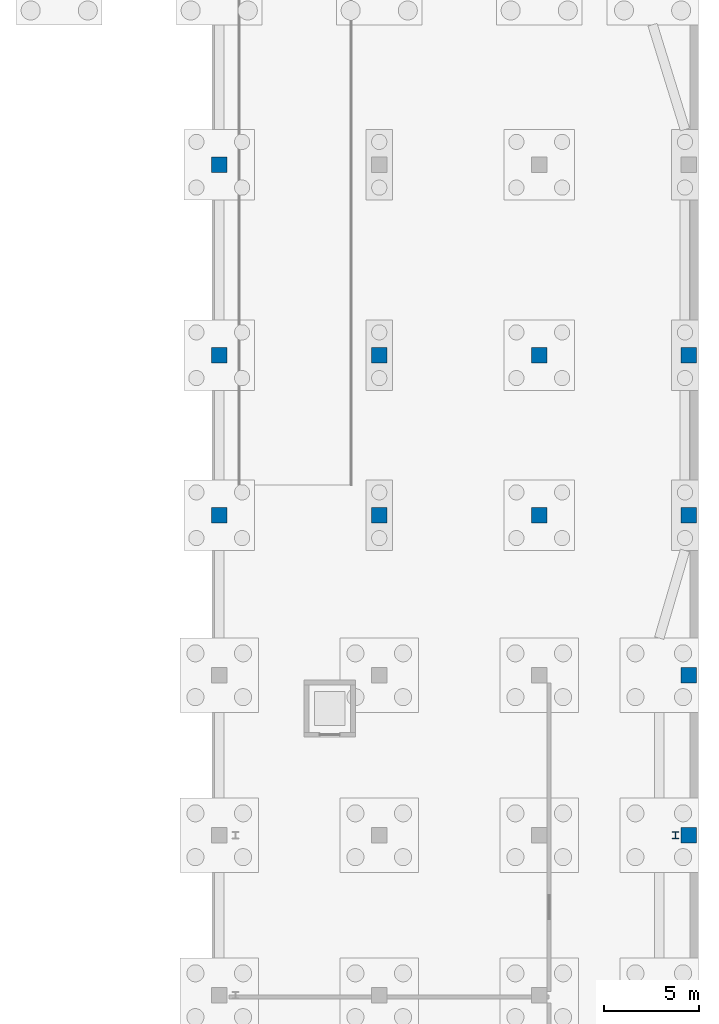
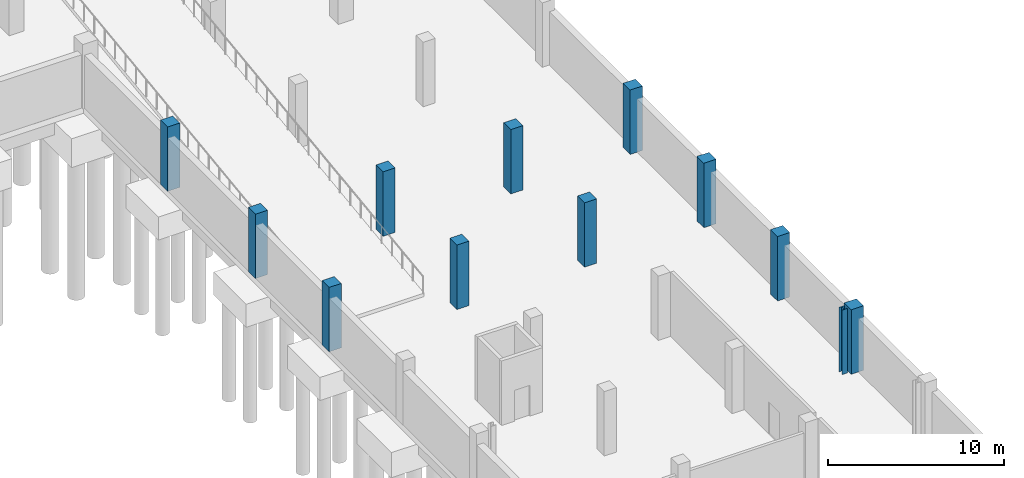
# One storey, part 7 of 18: 12 columns.
"""IFC4 building model written with IfcOpenShell, lengths in metres."""

from ifc_helpers import new_model, si_unit, direction, frame, origin, origin_2d, place, context, subcontext, project, spatial, rectangle, i_section, extrude, material, material_profile, profile_set, type_object, element, save


model = new_model("IFC4")

# Units and contexts
model_context = context("Model", 3, precision=1e-05, world=origin(), true_north=direction((0.0, 1.0)))
body_context = subcontext(model_context, "Body", "Model", "MODEL_VIEW")
ifc_project = project(units=[si_unit("LENGTHUNIT", "METRE"), si_unit("AREAUNIT", "SQUARE_METRE"), si_unit("VOLUMEUNIT", "CUBIC_METRE"), si_unit("PLANEANGLEUNIT", "RADIAN"), si_unit("MASSUNIT", "GRAM", prefix="KILO")], contexts=[model_context])

# Site, building, storey
site_placement = place(None, origin())
site = spatial("IfcSite", under=ifc_project, at=site_placement, CompositionType="ELEMENT")
building_placement = place(site_placement, origin())
building = spatial("IfcBuilding", under=site, at=building_placement, Name="Brinegate Botanical Conservatory", CompositionType="ELEMENT")
storey_placement = place(building_placement, frame((0.0, 0.0, -9.60009765625)))
storey = spatial("IfcBuildingStorey", under=building, at=storey_placement, Name="B2", CompositionType="ELEMENT", Elevation=-9.60009765625)

# Columns
ifc_material_1 = material(Name="Structural steel Q355B / S355", Category="steel")
ifc_material_profile_1 = material_profile(ifc_material_1, i_section(OverallWidth=0.35009765625, OverallDepth=0.35009765625, WebThickness=0.011962890625, FlangeThickness=0.01904296875, at=origin_2d()), Name="HW 350x350x12x19")
ifc_profile_set_1 = profile_set([ifc_material_profile_1], Name="Structural steel Q355B / S355")
column_type_1 = type_object("IfcColumnType", Name="Col_C-S1", PredefinedType="COLUMN", material=ifc_profile_set_1)
column_placement = place(storey_placement, frame((162.75, 33.60009765625, 0.0), z_axis=(0.0, 0.0, 1.0), x_axis=(1.0, 0.0, 0.0)))
element("IfcColumn", 1, at=column_placement, inside=storey, type_object=column_type_1, Name="Auditorium truss bearing column E4 B2", PredefinedType="COLUMN", context=body_context, shape_type="SweptSolid", body=[
    extrude(i_section(OverallWidth=0.35009765625, OverallDepth=0.35009765625, WebThickness=0.011962890625, FlangeThickness=0.01904296875, at=origin_2d()), origin(), (0.0, 0.0, 1.0), 4.47998046875),
])
ifc_material_2 = material(Name="Concrete C40/50", Category="concrete")
ifc_material_profile_2 = material_profile(ifc_material_2, rectangle(XDim=0.800048828125, YDim=0.800048828125, at=origin_2d()), Name="RC COL 800x800")
ifc_profile_set_2 = profile_set([ifc_material_profile_2], Name="Concrete C40/50")
column_type_2 = type_object("IfcColumnType", Name="Col_C-W1", PredefinedType="COLUMN", material=ifc_profile_set_2)
for number, where, z_axis, x_axis, name in (
    (2, (138.800048828125, 50.39990234375, 0.0), (0.0, 0.0, 1.0), (1.0, 0.0, 0.0), "Column C-W1 B2 G-18"),
    (3, (138.800048828125, 58.800048828125, 0.0), (0.0, 0.0, 1.0), (1.0, 0.0, 0.0), "Column C-W1 B2 H-18"),
    (4, (138.800048828125, 68.800048828125, 0.0), (0.0, 0.0, 1.0), (1.0, 0.0, 0.0), "Column C-W1 B2 J-18"),
    (5, (147.199951171875, 50.39990234375, 0.0), (0.0, 0.0, 1.0), (1.0, 0.0, 0.0), "Column C-W1 B2 G-19"),
    (6, (147.199951171875, 58.800048828125, 0.0), (0.0, 0.0, 1.0), (1.0, 0.0, 0.0), "Column C-W1 B2 H-19"),
    (7, (155.60009765625, 50.39990234375, 0.0), (0.0, 0.0, 1.0), (1.0, 0.0, 0.0), "Column C-W1 B2 G-20"),
    (8, (155.60009765625, 58.800048828125, 0.0), (0.0, 0.0, 1.0), (1.0, 0.0, 0.0), "Column C-W1 B2 H-20"),
    (9, (163.449951171875, 33.60009765625, 0.0), (0.0, 0.0, 1.0), (1.0, 0.0, 0.0), "Column C-W1 B2 E-21"),
    (10, (163.449951171875, 42.0, 0.0), (0.0, 0.0, 1.0), (1.0, 0.0, 0.0), "Column C-W1 B2 F-21"),
    (11, (163.449951171875, 50.39990234375, 0.0), (0.0, 0.0, 1.0), (1.0, 0.0, 0.0), "Column C-W1 B2 G-21"),
    (12, (163.449951171875, 58.800048828125, 0.0), (0.0, 0.0, 1.0), (1.0, 0.0, 0.0), "Column C-W1 B2 H-21"),
):
    element("IfcColumn", number, at=place(storey_placement, frame(where, z_axis=z_axis, x_axis=x_axis)), inside=storey, type_object=column_type_2, Name=name, PredefinedType="COLUMN", context=body_context, shape_type="SweptSolid", body=[
        extrude(rectangle(XDim=0.800048828125, YDim=0.800048828125, at=origin_2d()), origin(), (0.0, 0.0, 1.0), 4.47998046875),
    ])

save(model, "model.ifc")
